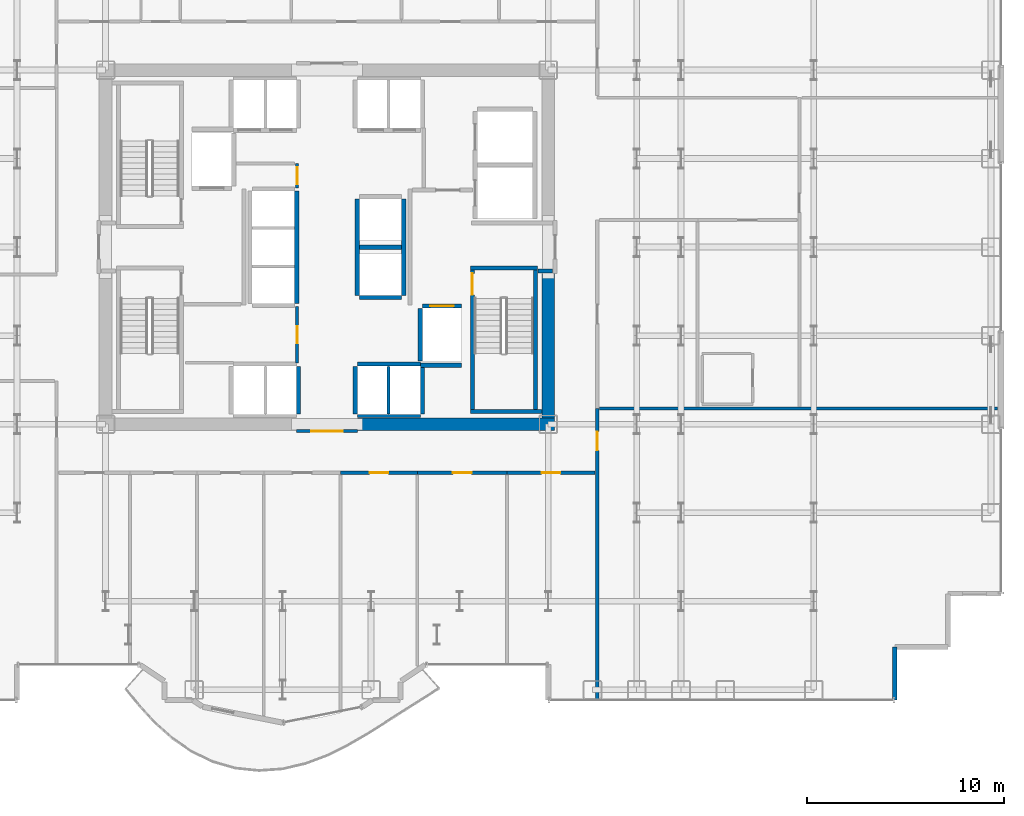
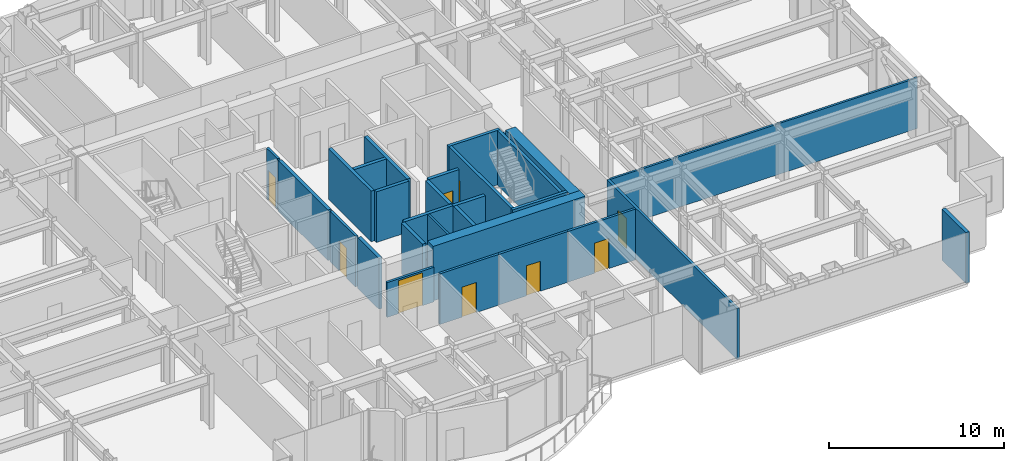
# One storey, part 24 of 29: 30 walls, 9 doors, 9 openings.
"""IFC4 building model written with IfcOpenShell, lengths in metres."""

from ifc_helpers import new_model, si_unit, direction, frame, frame_2d, origin, place, context, subcontext, project, spatial, rectangle, extrude, source, transform, mapped, material, layer, layer_set, type_object, element, fill, save


model = new_model("IFC4")

# Units and contexts
model_context = context("Model", 3, precision=1e-05, world=origin(), true_north=direction((0.0, 1.0)))
body_context = subcontext(model_context, "Body", "Model", "MODEL_VIEW")
ifc_project = project(units=[si_unit("LENGTHUNIT", "METRE"), si_unit("AREAUNIT", "SQUARE_METRE"), si_unit("VOLUMEUNIT", "CUBIC_METRE"), si_unit("PLANEANGLEUNIT", "RADIAN"), si_unit("MASSUNIT", "GRAM", prefix="KILO")], contexts=[model_context])

# Site, building, storey
site_placement = place(None, origin())
site = spatial("IfcSite", under=ifc_project, at=site_placement, CompositionType="ELEMENT")
building_placement = place(site_placement, origin())
building = spatial("IfcBuilding", under=site, at=building_placement, Name="Nefas-Gora Pilgrimage Tower", CompositionType="ELEMENT")
storey_placement = place(building_placement, frame((0.0, 0.0, 78.60009765625)))
storey = spatial("IfcBuildingStorey", under=building, at=storey_placement, Name="L18", CompositionType="ELEMENT", Elevation=78.60009765625)

# Walls
ifc_material_1 = material(Name="Concrete C60/75", Category="concrete")
ifc_layer_1 = layer(ifc_material_1, 0.64990234375)
ifc_layer_set_1 = layer_set([ifc_layer_1], Name="Concrete C60/75")
wall_type_1 = type_object("IfcWallType", Name="SW-CORE-650", PredefinedType="SHEAR", material=ifc_layer_set_1)
shared_shape_1 = source(origin(), body_context, "Body", "SweptSolid", [
    extrude(rectangle(XDim=10.02490234375, YDim=0.64990234375, at=frame_2d((5.012451171875, 0.0))), origin(), (0.0, 0.0, 1.0), 3.7998046875),
])
wall_1_placement = place(storey_placement, frame((1.550048828125, -9.0, 0.0), z_axis=(0.0, 0.0, 1.0), x_axis=(1.0, 0.0, 0.0)))
element("IfcWall", 1, at=wall_1_placement, inside=storey, type_object=wall_type_1, Name="L18 Core Shear Wall S-East", PredefinedType="SHEAR", context=body_context, shape_type="MappedRepresentation", body=[
    mapped(shared_shape_1, transform((0.0, 0.0, 0.0), x_axis=(1.0, 0.0, 0.0), y_axis=(0.0, 1.0, 0.0), z_axis=(0.0, 0.0, 1.0), scale=1.0)),
])
shared_shape_2 = source(origin(), body_context, "Body", "SweptSolid", [
    extrude(rectangle(XDim=7.324951171875, YDim=0.64990234375, at=frame_2d((3.66259765625, 0.0))), origin(), (0.0, 0.0, 1.0), 3.7998046875),
])
wall_2_placement = place(storey_placement, frame((11.25, -8.675048828125, 0.0), z_axis=(0.0, 0.0, 1.0), x_axis=(0.0, 1.0, 0.0)))
element("IfcWall", 2, at=wall_2_placement, inside=storey, type_object=wall_type_1, Name="L18 Core Shear Wall E-South", PredefinedType="SHEAR", context=body_context, shape_type="MappedRepresentation", body=[
    mapped(shared_shape_2, transform((0.0, 0.0, 0.0), x_axis=(1.0, 0.0, 0.0), y_axis=(0.0, 1.0, 0.0), z_axis=(0.0, 0.0, 1.0), scale=1.0)),
])
ifc_material_2 = material(Name="Precast concrete C45/55", Category="concrete")
ifc_layer_2 = layer(ifc_material_2, 0.239990234375)
ifc_layer_set_2 = layer_set([ifc_layer_2], Name="Precast concrete C45/55")
wall_type_2 = type_object("IfcWallType", Name="EW-SERR-240", PredefinedType="SHEAR", material=ifc_layer_set_2)
shared_shape_3 = source(origin(), body_context, "Body", "SweptSolid", [
    extrude(rectangle(XDim=2.699951171875, YDim=0.239990234375, at=frame_2d((1.35009765625, 0.0))), origin(), (0.0, 0.0, 1.0), 3.5498046875),
])
wall_3_placement = place(storey_placement, frame((28.8701171875, -23.02001953125, 0.0), z_axis=(0.0, 0.0, 1.0), x_axis=(0.0, 1.0, 0.0)))
element("IfcWall", 3, at=wall_3_placement, inside=storey, type_object=wall_type_2, Name="L18 Serrated Corner Shear Pier Wall 6", PredefinedType="SHEAR", context=body_context, shape_type="MappedRepresentation", body=[
    mapped(shared_shape_3, transform((0.0, 0.0, 0.0), x_axis=(1.0, 0.0, 0.0), y_axis=(0.0, 1.0, 0.0), z_axis=(0.0, 0.0, 1.0), scale=1.0)),
])
ifc_material_3 = material(Name="Concrete C45/55", Category="concrete")
ifc_layer_3 = layer(ifc_material_3, 0.199951171875)
ifc_layer_set_3 = layer_set([ifc_layer_3], Name="Concrete C45/55")
wall_type_3 = type_object("IfcWallType", Name="IW-STAIR-200", PredefinedType="SOLIDWALL", material=ifc_layer_set_3)
shared_shape_4 = source(origin(), body_context, "Body", "SweptSolid", [
    extrude(rectangle(XDim=3.39990234375, YDim=0.199951171875, at=frame_2d((1.699951171875, 0.0))), origin(), (0.0, 0.0, 1.0), 3.7998046875),
])
wall_4_placement = place(storey_placement, frame((7.300048828125, -1.050048828125, 0.0), z_axis=(0.0, 0.0, 1.0), x_axis=(1.0, 0.0, 0.0)))
element("IfcWall", 4, at=wall_4_placement, inside=storey, type_object=wall_type_3, Name="L18 Stairwell Shear Wall ST-02-near", PredefinedType="SOLIDWALL", context=body_context, shape_type="MappedRepresentation", body=[
    mapped(shared_shape_4, transform((0.0, 0.0, 0.0), x_axis=(1.0, 0.0, 0.0), y_axis=(0.0, 1.0, 0.0), z_axis=(0.0, 0.0, 1.0), scale=1.0)),
])
shared_shape_5 = source(origin(), body_context, "Body", "SweptSolid", [
    extrude(rectangle(XDim=3.6298828125, YDim=0.199951171875, at=frame_2d((1.81494140625, 0.0))), origin(), (0.0, 0.0, 1.0), 3.7998046875),
])
wall_5_placement = place(storey_placement, frame((7.300048828125, -8.35009765625, 0.0), z_axis=(0.0, 0.0, 1.0), x_axis=(1.0, 0.0, 0.0)))
element("IfcWall", 5, at=wall_5_placement, inside=storey, type_object=wall_type_3, Name="L18 Stairwell Shear Wall ST-02-far", PredefinedType="SOLIDWALL", context=body_context, shape_type="MappedRepresentation", body=[
    mapped(shared_shape_5, transform((0.0, 0.0, 0.0), x_axis=(1.0, 0.0, 0.0), y_axis=(0.0, 1.0, 0.0), z_axis=(0.0, 0.0, 1.0), scale=1.0)),
])

# Wall, opening, door
shared_shape_6 = source(origin(), body_context, "Body", "SweptSolid", [
    extrude(rectangle(XDim=7.10009765625, YDim=0.199951171875, at=frame_2d((3.550048828125, 0.0))), origin(), (0.0, 0.0, 1.0), 3.7998046875),
])
wall_6_placement = place(storey_placement, frame((7.39990234375, -1.14990234375, 0.0), z_axis=(0.0, 0.0, 1.0), x_axis=(0.0, -1.0, 0.0)))
wall_6 = element("IfcWall", 6, at=wall_6_placement, inside=storey, type_object=wall_type_3, Name="L18 Stairwell Shear Wall ST-02-left", PredefinedType="SOLIDWALL", context=body_context, shape_type="MappedRepresentation", body=[
    mapped(shared_shape_6, transform((0.0, 0.0, 0.0), x_axis=(1.0, 0.0, 0.0), y_axis=(0.0, 1.0, 0.0), z_axis=(0.0, 0.0, 1.0), scale=1.0)),
])
opening_1_placement = place(wall_6_placement, frame((0.179931640625, 0.0, 0.0)))
opening_1 = element("IfcOpeningElement", 7, at=opening_1_placement, cuts=wall_6, Name="Opening ID-ST1", PredefinedType="OPENING", context=body_context, shape_type="SweptSolid", body=[
    extrude(rectangle(XDim=1.10009765625, YDim=2.14990234375, at=frame_2d((0.550048828125, 1.074951171875))), frame((0.0, 0.10986328125, 0.0), z_axis=(0.0, -1.0, 0.0), x_axis=(1.0, 0.0, 0.0)), (0.0, 0.0, 1.0), 0.219970703125),
])
ifc_material_4 = material(Name="Painted galvanised steel fire stair door", Category="steel")
door_type_1 = type_object("IfcDoorType", Name="DR-INT-STAIR-1100", OperationType="NOTDEFINED", PredefinedType="DOOR", material=ifc_material_4)
shared_shape_7 = source(origin(), body_context, "Body", "SweptSolid", [
    extrude(rectangle(XDim=1.10009765625, YDim=2.14990234375, at=frame_2d((0.550048828125, 1.074951171875))), frame((0.0, 0.02490234375, 0.0), z_axis=(0.0, -1.0, 0.0), x_axis=(1.0, 0.0, 0.0)), (0.0, 0.0, 1.0), 0.050048828125),
])
door_1_placement = place(opening_1_placement, origin())
door_1 = element("IfcDoor", 8, at=door_1_placement, inside=storey, type_object=door_type_1, Name="L18 Protected Exit Stair Door ST-02", OperationType="SINGLE_SWING_LEFT", OverallHeight=2.14990234375, OverallWidth=1.10009765625, PredefinedType="DOOR", context=body_context, shape_type="MappedRepresentation", body=[
    mapped(shared_shape_7, transform((0.0, 0.0, 0.0), x_axis=(1.0, 0.0, 0.0), y_axis=(0.0, 1.0, 0.0), z_axis=(0.0, 0.0, 1.0), scale=1.0)),
])
fill(opening_1, door_1)

# Wall
wall_7_placement = place(storey_placement, frame((10.60009765625, -1.14990234375, 0.0), z_axis=(0.0, 0.0, 1.0), x_axis=(0.0, -1.0, 0.0)))
element("IfcWall", 9, at=wall_7_placement, inside=storey, type_object=wall_type_3, Name="L18 Stairwell Shear Wall ST-02-right", PredefinedType="SOLIDWALL", context=body_context, shape_type="MappedRepresentation", body=[
    mapped(shared_shape_6, transform((0.0, 0.0, 0.0), x_axis=(1.0, 0.0, 0.0), y_axis=(0.0, 1.0, 0.0), z_axis=(0.0, 0.0, 1.0), scale=1.0)),
])

# Wall, opening, door
ifc_material_5 = material(Name="Concrete C40/50", Category="concrete")
ifc_layer_4 = layer(ifc_material_5, 0.219970703125)
ifc_layer_set_4 = layer_set([ifc_layer_4], Name="Concrete C40/50")
wall_type_4 = type_object("IfcWallType", Name="IW-SHAFT-220", PredefinedType="SOLIDWALL", material=ifc_layer_set_4)
shared_shape_8 = source(origin(), body_context, "Body", "SweptSolid", [
    extrude(rectangle(XDim=2.0, YDim=0.219970703125, at=frame_2d((1.0, 0.0))), origin(), (0.0, 0.0, 1.0), 3.534912109375),
])
wall_8_placement = place(storey_placement, frame((6.85009765625, -2.989990234375, 0.0), z_axis=(0.0, 0.0, 1.0), x_axis=(-1.0, 0.0, 0.0)))
wall_8 = element("IfcWall", 10, at=wall_8_placement, inside=storey, type_object=wall_type_4, Name="L18 Hoistway Wall FFL-02-N", PredefinedType="SOLIDWALL", context=body_context, shape_type="MappedRepresentation", body=[
    mapped(shared_shape_8, transform((0.0, 0.0, 0.0), x_axis=(1.0, 0.0, 0.0), y_axis=(0.0, 1.0, 0.0), z_axis=(0.0, 0.0, 1.0), scale=1.0)),
])
opening_2_placement = place(wall_8_placement, frame((0.39990234375, 0.0, 0.0)))
opening_2 = element("IfcOpeningElement", 11, at=opening_2_placement, cuts=wall_8, Name="Opening LD-FF", PredefinedType="OPENING", context=body_context, shape_type="SweptSolid", body=[
    extrude(rectangle(XDim=1.199951171875, YDim=2.199951171875, at=frame_2d((0.60009765625, 1.10009765625))), frame((0.0, 0.119873046875, 0.0), z_axis=(0.0, -1.0, 0.0), x_axis=(1.0, 0.0, 0.0)), (0.0, 0.0, 1.0), 0.239990234375),
])
ifc_material_6 = material(Name="Fire-service sliding lift landing door")
door_type_2 = type_object("IfcDoorType", Name="DR-LIFT-FSAE-1200", OperationType="SLIDING_TO_LEFT", PredefinedType="DOOR", material=ifc_material_6)
shared_shape_9 = source(origin(), body_context, "Body", "SweptSolid", [
    extrude(rectangle(XDim=1.199951171875, YDim=2.199951171875, at=frame_2d((0.60009765625, 1.10009765625))), frame((0.0, 0.02490234375, 0.0), z_axis=(0.0, -1.0, 0.0), x_axis=(1.0, 0.0, 0.0)), (0.0, 0.0, 1.0), 0.050048828125),
])
door_2_placement = place(opening_2_placement, origin())
door_2 = element("IfcDoor", 12, at=door_2_placement, inside=storey, type_object=door_type_2, Name="L18 Sliding Lift Landing Door FFL-02", OperationType="SLIDING_TO_LEFT", OverallHeight=2.199951171875, OverallWidth=1.199951171875, PredefinedType="DOOR", context=body_context, shape_type="MappedRepresentation", body=[
    mapped(shared_shape_9, transform((0.0, 0.0, 0.0), x_axis=(1.0, 0.0, 0.0), y_axis=(0.0, 1.0, 0.0), z_axis=(0.0, 0.0, 1.0), scale=1.0)),
])
fill(opening_2, door_2)

# Walls
shared_shape_10 = source(origin(), body_context, "Body", "SweptSolid", [
    extrude(rectangle(XDim=2.679931640625, YDim=0.219970703125, at=frame_2d((1.33984375, 0.0))), origin(), (0.0, 0.0, 1.0), 3.534912109375),
])
wall_9_placement = place(storey_placement, frame((4.739990234375, -3.110107421875, 0.0), z_axis=(0.0, 0.0, 1.0), x_axis=(0.0, -1.0, 0.0)))
element("IfcWall", 13, at=wall_9_placement, inside=storey, type_object=wall_type_4, Name="L18 Hoistway Wall FFL-02-W", PredefinedType="SOLIDWALL", context=body_context, shape_type="MappedRepresentation", body=[
    mapped(shared_shape_10, transform((0.0, 0.0, 0.0), x_axis=(1.0, 0.0, 0.0), y_axis=(0.0, 1.0, 0.0), z_axis=(0.0, 0.0, 1.0), scale=1.0)),
])
shared_shape_11 = source(origin(), body_context, "Body", "SweptSolid", [
    extrude(rectangle(XDim=3.199951171875, YDim=0.219970703125, at=frame_2d((1.60009765625, 0.0))), origin(), (0.0, 0.0, 1.0), 3.534912109375),
])
wall_10_placement = place(storey_placement, frame((4.75, -5.93994140625, 0.0), z_axis=(0.0, 0.0, 1.0), x_axis=(-1.0, 0.0, 0.0)))
element("IfcWall", 14, at=wall_10_placement, inside=storey, type_object=wall_type_4, Name="L18 Hoistway Wall PL2-E-N", PredefinedType="SOLIDWALL", context=body_context, shape_type="MappedRepresentation", body=[
    mapped(shared_shape_11, transform((0.0, 0.0, 0.0), x_axis=(1.0, 0.0, 0.0), y_axis=(0.0, 1.0, 0.0), z_axis=(0.0, 0.0, 1.0), scale=1.0)),
])
shared_shape_12 = source(origin(), body_context, "Body", "SweptSolid", [
    extrude(rectangle(XDim=2.429931640625, YDim=0.219970703125, at=frame_2d((1.21484375, 0.0))), origin(), (0.0, 0.0, 1.0), 3.534912109375),
])
for number, where, z_axis, x_axis, name in (
    (15, (-1.43994140625, -8.489990234375, 0.0), (0.0, 0.0, 1.0), (0.0, 1.0, 0.0), "L18 Hoistway Wall PL2-W-E"),
    (16, (1.43994140625, -6.06005859375, 0.0), (0.0, 0.0, 1.0), (0.0, -1.0, 0.0), "L18 Hoistway Wall PL2-E-W"),
    (17, (4.860107421875, -8.489990234375, 0.0), (0.0, 0.0, 1.0), (0.0, 1.0, 0.0), "L18 Hoistway Wall PL2-E-E"),
):
    element("IfcWall", number, at=place(storey_placement, frame(where, z_axis=z_axis, x_axis=x_axis)), inside=storey, type_object=wall_type_4, Name=name, PredefinedType="SOLIDWALL", context=body_context, shape_type="MappedRepresentation", body=[
        mapped(shared_shape_12, transform((0.0, 0.0, 0.0), x_axis=(1.0, 0.0, 0.0), y_axis=(0.0, 1.0, 0.0), z_axis=(0.0, 0.0, 1.0), scale=1.0)),
    ])
ifc_material_7 = material(Name="Gypsum twin-stud partition")
ifc_layer_5 = layer(ifc_material_7, 0.139892578125)
ifc_layer_set_5 = layer_set([ifc_layer_5], Name="Gypsum twin-stud partition")
wall_type_5 = type_object("IfcWallType", Name="IW-UNIT-140", PredefinedType="PARTITIONING", material=ifc_layer_set_5)
shared_shape_13 = source(origin(), body_context, "Body", "SweptSolid", [
    extrude(rectangle(XDim=2.429931640625, YDim=0.139892578125, at=frame_2d((1.21484375, 0.0))), origin(), (0.0, 0.0, 1.0), 3.534912109375),
])
wall_11_placement = place(storey_placement, frame((3.125, -8.489990234375, 0.0), z_axis=(0.0, 0.0, 1.0), x_axis=(0.0, 1.0, 0.0)))
element("IfcWall", 18, at=wall_11_placement, inside=storey, type_object=wall_type_5, Name="L18 Hoistway Wall PL2-E-DIV", PredefinedType="PARTITIONING", context=body_context, shape_type="MappedRepresentation", body=[
    mapped(shared_shape_13, transform((0.0, 0.0, 0.0), x_axis=(1.0, 0.0, 0.0), y_axis=(0.0, 1.0, 0.0), z_axis=(0.0, 0.0, 1.0), scale=1.0)),
])
shared_shape_14 = source(origin(), body_context, "Body", "SweptSolid", [
    extrude(rectangle(XDim=5.7001953125, YDim=0.219970703125, at=frame_2d((2.85009765625, 0.0))), origin(), (0.0, 0.0, 1.0), 3.534912109375),
])
wall_12_placement = place(storey_placement, frame((-1.5400390625, -2.85009765625, 0.0), z_axis=(0.0, 0.0, 1.0), x_axis=(0.0, 1.0, 0.0)))
element("IfcWall", 19, at=wall_12_placement, inside=storey, type_object=wall_type_4, Name="L18 Hoistway Wall PL3-01-03-E", PredefinedType="SOLIDWALL", context=body_context, shape_type="MappedRepresentation", body=[
    mapped(shared_shape_14, transform((0.0, 0.0, 0.0), x_axis=(1.0, 0.0, 0.0), y_axis=(0.0, 1.0, 0.0), z_axis=(0.0, 0.0, 1.0), scale=1.0)),
])
shared_shape_15 = source(origin(), body_context, "Body", "SweptSolid", [
    extrude(rectangle(XDim=2.130126953125, YDim=0.219970703125, at=frame_2d((1.06494140625, 0.0))), origin(), (0.0, 0.0, 1.0), 3.534912109375),
])
for number, where, z_axis, x_axis, name in (
    (20, (1.659912109375, -2.56005859375, 0.0), (0.0, 0.0, 1.0), (1.0, 0.0, 0.0), "L18 Hoistway Wall OBS-01-S"),
    (21, (1.659912109375, 0.0, 0.0), (0.0, 0.0, 1.0), (1.0, 0.0, 0.0), "L18 Hoistway Wall OBS-01-02-DIV"),
):
    element("IfcWall", number, at=place(storey_placement, frame(where, z_axis=z_axis, x_axis=x_axis)), inside=storey, type_object=wall_type_4, Name=name, PredefinedType="SOLIDWALL", context=body_context, shape_type="MappedRepresentation", body=[
        mapped(shared_shape_15, transform((0.0, 0.0, 0.0), x_axis=(1.0, 0.0, 0.0), y_axis=(0.0, 1.0, 0.0), z_axis=(0.0, 0.0, 1.0), scale=1.0)),
    ])
shared_shape_16 = source(origin(), body_context, "Body", "SweptSolid", [
    extrude(rectangle(XDim=4.89990234375, YDim=0.219970703125, at=frame_2d((2.449951171875, 0.0))), origin(), (0.0, 0.0, 1.0), 3.534912109375),
])
for number, where, z_axis, x_axis, name in (
    (22, (1.5400390625, 2.449951171875, 0.0), (0.0, 0.0, 1.0), (0.0, -1.0, 0.0), "L18 Hoistway Wall OBS-01-02-W"),
    (23, (3.909912109375, -2.449951171875, 0.0), (0.0, 0.0, 1.0), (0.0, 1.0, 0.0), "L18 Hoistway Wall OBS-01-02-E"),
):
    element("IfcWall", number, at=place(storey_placement, frame(where, z_axis=z_axis, x_axis=x_axis)), inside=storey, type_object=wall_type_4, Name=name, PredefinedType="SOLIDWALL", context=body_context, shape_type="MappedRepresentation", body=[
        mapped(shared_shape_16, transform((0.0, 0.0, 0.0), x_axis=(1.0, 0.0, 0.0), y_axis=(0.0, 1.0, 0.0), z_axis=(0.0, 0.0, 1.0), scale=1.0)),
    ])
ifc_material_8 = material(Name="Gypsum acoustic stud partition")
ifc_layer_6 = layer(ifc_material_8, 0.159912109375)
ifc_layer_set_6 = layer_set([ifc_layer_6], Name="Gypsum acoustic stud partition")
wall_type_6 = type_object("IfcWallType", Name="IW-CORR-160", PredefinedType="PARTITIONING", material=ifc_layer_set_6)
shared_shape_17 = source(origin(), body_context, "Body", "SweptSolid", [
    extrude(rectangle(XDim=3.199951171875, YDim=0.159912109375, at=frame_2d((1.60009765625, 0.0))), origin(), (0.0, 0.0, 1.0), 2.4248046875),
])
wall_13_placement = place(storey_placement, frame((1.550048828125, -8.580078125, 0.0), z_axis=(0.0, 0.0, 1.0), x_axis=(1.0, 0.0, 0.0)))
element("IfcWall", 24, at=wall_13_placement, inside=storey, type_object=wall_type_6, Name="L18 Hoistway Wall PL2-E-S", PredefinedType="PARTITIONING", context=body_context, shape_type="MappedRepresentation", body=[
    mapped(shared_shape_17, transform((0.0, 0.0, 0.0), x_axis=(1.0, 0.0, 0.0), y_axis=(0.0, 1.0, 0.0), z_axis=(0.0, 0.0, 1.0), scale=1.0)),
])
shared_shape_18 = source(origin(), body_context, "Body", "SweptSolid", [
    extrude(rectangle(XDim=2.09521484375, YDim=0.219970703125, at=frame_2d((1.047607421875, 0.0))), origin(), (0.0, 0.0, 1.0), 3.534912109375),
])
wall_14_placement = place(storey_placement, frame((4.7548828125, -6.0, 0.0), z_axis=(0.0, 0.0, 1.0), x_axis=(1.0, 0.0, 0.0)))
element("IfcWall", 25, at=wall_14_placement, inside=storey, type_object=wall_type_4, Name="L18 Riser Shaft Wall 2", PredefinedType="SOLIDWALL", context=body_context, shape_type="MappedRepresentation", body=[
    mapped(shared_shape_18, transform((0.0, 0.0, 0.0), x_axis=(1.0, 0.0, 0.0), y_axis=(0.0, 1.0, 0.0), z_axis=(0.0, 0.0, 1.0), scale=1.0)),
])
ifc_material_9 = material(Name="Gypsum fire-rated shaftwall")
ifc_layer_7 = layer(ifc_material_9, 0.199951171875)
ifc_layer_set_7 = layer_set([ifc_layer_7], Name="Gypsum fire-rated shaftwall")
wall_type_7 = type_object("IfcWallType", Name="IW-FFLOB-200", PredefinedType="PARTITIONING", material=ifc_layer_set_7)
shared_shape_19 = source(origin(), body_context, "Body", "SweptSolid", [
    extrude(rectangle(XDim=0.719970703125, YDim=0.199951171875, at=frame_2d((0.35986328125, 0.0))), origin(), (0.0, 0.0, 1.0), 3.534912109375),
])
wall_15_placement = place(storey_placement, frame((10.739990234375, -1.219970703125, 0.0), z_axis=(0.0, 0.0, 1.0), x_axis=(1.0, 0.0, 0.0)))
element("IfcWall", 26, at=wall_15_placement, inside=storey, type_object=wall_type_7, Name="L18 FF Lobby East Throat S Wall 12", PredefinedType="PARTITIONING", context=body_context, shape_type="MappedRepresentation", body=[
    mapped(shared_shape_19, transform((0.0, 0.0, 0.0), x_axis=(1.0, 0.0, 0.0), y_axis=(0.0, 1.0, 0.0), z_axis=(0.0, 0.0, 1.0), scale=1.0)),
])

# Wall, opening, door
shared_shape_20 = source(origin(), body_context, "Body", "SweptSolid", [
    extrude(rectangle(XDim=1.25, YDim=0.159912109375, at=frame_2d((0.625, 0.0))), origin(), (0.0, 0.0, 1.0), 3.534912109375),
])
wall_16_placement = place(storey_placement, frame((-1.52001953125, 3.010009765625, 0.0), z_axis=(0.0, 0.0, 1.0), x_axis=(0.0, 1.0, 0.0)))
wall_16 = element("IfcWall", 27, at=wall_16_placement, inside=storey, type_object=wall_type_6, Name="L18 Housekeeping and Linen Store Wall 20", PredefinedType="PARTITIONING", context=body_context, shape_type="MappedRepresentation", body=[
    mapped(shared_shape_20, transform((0.0, 0.0, 0.0), x_axis=(1.0, 0.0, 0.0), y_axis=(0.0, 1.0, 0.0), z_axis=(0.0, 0.0, 1.0), scale=1.0)),
])
opening_3_placement = place(wall_16_placement, frame((0.199951171875, 0.0, 0.0)))
opening_3 = element("IfcOpeningElement", 28, at=opening_3_placement, cuts=wall_16, Name="Opening ID-BT1", PredefinedType="OPENING", context=body_context, shape_type="SweptSolid", body=[
    extrude(rectangle(XDim=0.85009765625, YDim=2.10009765625, at=frame_2d((0.425048828125, 1.050048828125))), frame((0.0, 0.08984375, 0.0), z_axis=(0.0, -1.0, 0.0), x_axis=(1.0, 0.0, 0.0)), (0.0, 0.0, 1.0), 0.179931640625),
])
ifc_material_10 = material(Name="Moisture-resistant fire-rated timber door", Category="wood")
door_type_3 = type_object("IfcDoorType", Name="DR-INT-BATH-850", OperationType="NOTDEFINED", PredefinedType="DOOR", material=ifc_material_10)
shared_shape_21 = source(origin(), body_context, "Body", "SweptSolid", [
    extrude(rectangle(XDim=0.85009765625, YDim=2.10009765625, at=frame_2d((0.425048828125, 1.050048828125))), frame((0.0, 0.02490234375, 0.0), z_axis=(0.0, -1.0, 0.0), x_axis=(1.0, 0.0, 0.0)), (0.0, 0.0, 1.0), 0.050048828125),
])
door_3_placement = place(opening_3_placement, origin())
door_3 = element("IfcDoor", 29, at=door_3_placement, inside=storey, type_object=door_type_3, Name="L18 Housekeeping and Linen Store Door 7", OperationType="SINGLE_SWING_RIGHT", OverallHeight=2.10009765625, OverallWidth=0.85009765625, PredefinedType="DOOR", context=body_context, shape_type="MappedRepresentation", body=[
    mapped(shared_shape_21, transform((0.0, 0.0, 0.0), x_axis=(1.0, 0.0, 0.0), y_axis=(0.0, 1.0, 0.0), z_axis=(0.0, 0.0, 1.0), scale=1.0)),
])
fill(opening_3, door_3)

shared_shape_22 = source(origin(), body_context, "Body", "SweptSolid", [
    extrude(rectangle(XDim=2.8798828125, YDim=0.159912109375, at=frame_2d((1.43994140625, 0.0))), origin(), (0.0, 0.0, 1.0), 3.534912109375),
])
wall_17_placement = place(storey_placement, frame((-1.52001953125, -5.889892578125, 0.0), z_axis=(0.0, 0.0, 1.0), x_axis=(0.0, 1.0, 0.0)))
wall_17 = element("IfcWall", 30, at=wall_17_placement, inside=storey, type_object=wall_type_6, Name="L18 Pilgrim Baggage and Gear Vault Wall 22", PredefinedType="PARTITIONING", context=body_context, shape_type="MappedRepresentation", body=[
    mapped(shared_shape_22, transform((0.0, 0.0, 0.0), x_axis=(1.0, 0.0, 0.0), y_axis=(0.0, 1.0, 0.0), z_axis=(0.0, 0.0, 1.0), scale=1.0)),
])
opening_4_placement = place(wall_17_placement, frame((1.014892578125, 0.0, 0.0)))
opening_4 = element("IfcOpeningElement", 31, at=opening_4_placement, cuts=wall_17, Name="Opening ID-BT1", PredefinedType="OPENING", context=body_context, shape_type="SweptSolid", body=[
    extrude(rectangle(XDim=0.85009765625, YDim=2.10009765625, at=frame_2d((0.425048828125, 1.050048828125))), frame((0.0, 0.08984375, 0.0), z_axis=(0.0, -1.0, 0.0), x_axis=(1.0, 0.0, 0.0)), (0.0, 0.0, 1.0), 0.179931640625),
])
door_4_placement = place(opening_4_placement, origin())
door_4 = element("IfcDoor", 32, at=door_4_placement, inside=storey, type_object=door_type_3, Name="L18 Pilgrim Baggage and Gear Vault Door 8", OperationType="SINGLE_SWING_LEFT", OverallHeight=2.10009765625, OverallWidth=0.85009765625, PredefinedType="DOOR", context=body_context, shape_type="MappedRepresentation", body=[
    mapped(shared_shape_21, transform((0.0, 0.0, 0.0), x_axis=(1.0, 0.0, 0.0), y_axis=(0.0, 1.0, 0.0), z_axis=(0.0, 0.0, 1.0), scale=1.0)),
])
fill(opening_4, door_4)

# Wall
shared_shape_23 = source(origin(), body_context, "Body", "SweptSolid", [
    extrude(rectangle(XDim=20.219970703125, YDim=0.139892578125, at=frame_2d((10.10986328125, 0.0))), origin(), (0.0, 0.0, 1.0), 3.534912109375),
])
wall_18_placement = place(storey_placement, frame((13.860107421875, -8.205078125, 0.0), z_axis=(0.0, 0.0, 1.0), x_axis=(1.0, 0.0, 0.0)))
element("IfcWall", 33, at=wall_18_placement, inside=storey, type_object=wall_type_5, Name="L18 Pilgrim Fellowship Seminar Room Partition Wall 35", PredefinedType="PARTITIONING", context=body_context, shape_type="MappedRepresentation", body=[
    mapped(shared_shape_23, transform((0.0, 0.0, 0.0), x_axis=(1.0, 0.0, 0.0), y_axis=(0.0, 1.0, 0.0), z_axis=(0.0, 0.0, 1.0), scale=1.0)),
])

# Wall, opening, door
shared_shape_24 = source(origin(), body_context, "Body", "SweptSolid", [
    extrude(rectangle(XDim=3.08984375, YDim=0.159912109375, at=frame_2d((1.544921875, 0.0))), origin(), (0.0, 0.0, 1.0), 2.4248046875),
])
wall_19_placement = place(storey_placement, frame((-1.544921875, -9.35009765625, 0.0), z_axis=(0.0, 0.0, 1.0), x_axis=(1.0, 0.0, 0.0)))
wall_19 = element("IfcWall", 34, at=wall_19_placement, inside=storey, type_object=wall_type_6, Name="L18 Central Lift Lobby South Portal Wall 14", PredefinedType="PARTITIONING", context=body_context, shape_type="MappedRepresentation", body=[
    mapped(shared_shape_24, transform((0.0, 0.0, 0.0), x_axis=(1.0, 0.0, 0.0), y_axis=(0.0, 1.0, 0.0), z_axis=(0.0, 0.0, 1.0), scale=1.0)),
])
opening_5_placement = place(wall_19_placement, frame((0.7451171875, 0.0, 0.0)))
opening_5 = element("IfcOpeningElement", 35, at=opening_5_placement, cuts=wall_19, Name="Opening ID-HL1", PredefinedType="OPENING", context=body_context, shape_type="SweptSolid", body=[
    extrude(rectangle(XDim=1.60009765625, YDim=2.300048828125, at=frame_2d((0.800048828125, 1.14990234375))), frame((0.0, 0.08984375, 0.0), z_axis=(0.0, -1.0, 0.0), x_axis=(1.0, 0.0, 0.0)), (0.0, 0.0, 1.0), 0.179931640625),
])
ifc_material_11 = material(Name="Double acoustic timber assembly hall door", Category="wood")
door_type_4 = type_object("IfcDoorType", Name="DR-INT-HALL-1600", OperationType="DOUBLE_DOOR_SINGLE_SWING", PredefinedType="DOOR", material=ifc_material_11)
shared_shape_25 = source(origin(), body_context, "Body", "SweptSolid", [
    extrude(rectangle(XDim=1.60009765625, YDim=2.300048828125, at=frame_2d((0.800048828125, 1.14990234375))), frame((0.0, 0.02490234375, 0.0), z_axis=(0.0, -1.0, 0.0), x_axis=(1.0, 0.0, 0.0)), (0.0, 0.0, 1.0), 0.050048828125),
])
door_5_placement = place(opening_5_placement, origin())
door_5 = element("IfcDoor", 36, at=door_5_placement, inside=storey, type_object=door_type_4, Name="L18 Central Lift Lobby South Portal Door 5", OperationType="DOUBLE_DOOR_SINGLE_SWING", OverallHeight=2.300048828125, OverallWidth=1.60009765625, PredefinedType="DOOR", context=body_context, shape_type="MappedRepresentation", body=[
    mapped(shared_shape_25, transform((0.0, 0.0, 0.0), x_axis=(1.0, 0.0, 0.0), y_axis=(0.0, 1.0, 0.0), z_axis=(0.0, 0.0, 1.0), scale=1.0)),
])
fill(opening_5, door_5)

shared_shape_26 = source(origin(), body_context, "Body", "SweptSolid", [
    extrude(rectangle(XDim=14.844970703125, YDim=0.159912109375, at=frame_2d((7.42236328125, 0.0))), origin(), (0.0, 0.0, 1.0), 3.534912109375),
])
wall_20_placement = place(storey_placement, frame((13.739990234375, -23.0400390625, 0.0), z_axis=(0.0, 0.0, 1.0), x_axis=(0.0, 1.0, 0.0)))
wall_20 = element("IfcWall", 37, at=wall_20_placement, inside=storey, type_object=wall_type_6, Name="L18 Pilgrim Fellowship Seminar Room Partition Wall 34", PredefinedType="PARTITIONING", context=body_context, shape_type="MappedRepresentation", body=[
    mapped(shared_shape_26, transform((0.0, 0.0, 0.0), x_axis=(1.0, 0.0, 0.0), y_axis=(0.0, 1.0, 0.0), z_axis=(0.0, 0.0, 1.0), scale=1.0)),
])
opening_6_placement = place(wall_20_placement, frame((12.71240234375, 0.0, 0.0)))
opening_6 = element("IfcOpeningElement", 38, at=opening_6_placement, cuts=wall_20, Name="Opening ID-GR1", PredefinedType="OPENING", context=body_context, shape_type="SweptSolid", body=[
    extrude(rectangle(XDim=0.949951171875, YDim=2.10009765625, at=frame_2d((0.47509765625, 1.050048828125))), frame((0.0, 0.08984375, 0.0), z_axis=(0.0, -1.0, 0.0), x_axis=(1.0, 0.0, 0.0)), (0.0, 0.0, 1.0), 0.179931640625),
])
ifc_material_12 = material(Name="Solid core oak fire-rated guest entrance door")
door_type_5 = type_object("IfcDoorType", Name="DR-INT-GUEST-950", OperationType="NOTDEFINED", PredefinedType="DOOR", material=ifc_material_12)
shared_shape_27 = source(origin(), body_context, "Body", "SweptSolid", [
    extrude(rectangle(XDim=0.949951171875, YDim=2.10009765625, at=frame_2d((0.47509765625, 1.050048828125))), frame((0.0, 0.02490234375, 0.0), z_axis=(0.0, -1.0, 0.0), x_axis=(1.0, 0.0, 0.0)), (0.0, 0.0, 1.0), 0.050048828125),
])
door_6_placement = place(opening_6_placement, origin())
door_6 = element("IfcDoor", 39, at=door_6_placement, inside=storey, type_object=door_type_5, Name="L18 Pilgrim Fellowship Seminar Room Door 14", OperationType="SINGLE_SWING_LEFT", OverallHeight=2.10009765625, OverallWidth=0.949951171875, PredefinedType="DOOR", context=body_context, shape_type="MappedRepresentation", body=[
    mapped(shared_shape_27, transform((0.0, 0.0, 0.0), x_axis=(1.0, 0.0, 0.0), y_axis=(0.0, 1.0, 0.0), z_axis=(0.0, 0.0, 1.0), scale=1.0)),
])
fill(opening_6, door_6)

shared_shape_28 = source(origin(), body_context, "Body", "SweptSolid", [
    extrude(rectangle(XDim=3.905029296875, YDim=0.159912109375, at=frame_2d((1.95263671875, 0.0))), origin(), (0.0, 0.0, 1.0), 3.534912109375),
])
wall_21_placement = place(storey_placement, frame((0.699951171875, -11.469970703125, 0.0), z_axis=(0.0, 0.0, 1.0), x_axis=(1.0, 0.0, 0.0)))
wall_21 = element("IfcWall", 40, at=wall_21_placement, inside=storey, type_object=wall_type_6, Name="L18 Pilgrim Contemplative Lounge Partition Wall 60", PredefinedType="PARTITIONING", context=body_context, shape_type="MappedRepresentation", body=[
    mapped(shared_shape_28, transform((0.0, 0.0, 0.0), x_axis=(1.0, 0.0, 0.0), y_axis=(0.0, 1.0, 0.0), z_axis=(0.0, 0.0, 1.0), scale=1.0)),
])
opening_7_placement = place(wall_21_placement, frame((1.4775390625, 0.0, 0.0)))
opening_7 = element("IfcOpeningElement", 41, at=opening_7_placement, cuts=wall_21, Name="Opening ID-GR1", PredefinedType="OPENING", context=body_context, shape_type="SweptSolid", body=[
    extrude(rectangle(XDim=0.949951171875, YDim=2.10009765625, at=frame_2d((0.47509765625, 1.050048828125))), frame((0.0, 0.08984375, 0.0), z_axis=(0.0, -1.0, 0.0), x_axis=(1.0, 0.0, 0.0)), (0.0, 0.0, 1.0), 0.179931640625),
])
door_7_placement = place(opening_7_placement, origin())
door_7 = element("IfcDoor", 42, at=door_7_placement, inside=storey, type_object=door_type_5, Name="L18 Pilgrim Contemplative Lounge Door 28", OperationType="SINGLE_SWING_LEFT", OverallHeight=2.10009765625, OverallWidth=0.949951171875, PredefinedType="DOOR", context=body_context, shape_type="MappedRepresentation", body=[
    mapped(shared_shape_27, transform((0.0, 0.0, 0.0), x_axis=(1.0, 0.0, 0.0), y_axis=(0.0, 1.0, 0.0), z_axis=(0.0, 0.0, 1.0), scale=1.0)),
])
fill(opening_7, door_7)

shared_shape_29 = source(origin(), body_context, "Body", "SweptSolid", [
    extrude(rectangle(XDim=4.56494140625, YDim=0.159912109375, at=frame_2d((2.282470703125, 0.0))), origin(), (0.0, 0.0, 1.0), 3.534912109375),
])
wall_22_placement = place(storey_placement, frame((4.594970703125, -11.469970703125, 0.0), z_axis=(0.0, 0.0, 1.0), x_axis=(1.0, 0.0, 0.0)))
wall_22 = element("IfcWall", 43, at=wall_22_placement, inside=storey, type_object=wall_type_6, Name="L18 Pilgrim Contemplative Lounge Partition Wall 62", PredefinedType="PARTITIONING", context=body_context, shape_type="MappedRepresentation", body=[
    mapped(shared_shape_29, transform((0.0, 0.0, 0.0), x_axis=(1.0, 0.0, 0.0), y_axis=(0.0, 1.0, 0.0), z_axis=(0.0, 0.0, 1.0), scale=1.0)),
])
opening_8_placement = place(wall_22_placement, frame((1.8076171875, 0.0, 0.0)))
opening_8 = element("IfcOpeningElement", 44, at=opening_8_placement, cuts=wall_22, Name="Opening ID-GR1", PredefinedType="OPENING", context=body_context, shape_type="SweptSolid", body=[
    extrude(rectangle(XDim=0.949951171875, YDim=2.10009765625, at=frame_2d((0.47509765625, 1.050048828125))), frame((0.0, 0.08984375, 0.0), z_axis=(0.0, -1.0, 0.0), x_axis=(1.0, 0.0, 0.0)), (0.0, 0.0, 1.0), 0.179931640625),
])
door_8_placement = place(opening_8_placement, origin())
door_8 = element("IfcDoor", 45, at=door_8_placement, inside=storey, type_object=door_type_5, Name="L18 Pilgrim Contemplative Lounge Door 29", OperationType="SINGLE_SWING_RIGHT", OverallHeight=2.10009765625, OverallWidth=0.949951171875, PredefinedType="DOOR", context=body_context, shape_type="MappedRepresentation", body=[
    mapped(shared_shape_27, transform((0.0, 0.0, 0.0), x_axis=(1.0, 0.0, 0.0), y_axis=(0.0, 1.0, 0.0), z_axis=(0.0, 0.0, 1.0), scale=1.0)),
])
fill(opening_8, door_8)

shared_shape_30 = source(origin(), body_context, "Body", "SweptSolid", [
    extrude(rectangle(XDim=4.460205078125, YDim=0.159912109375, at=frame_2d((2.22998046875, 0.0))), origin(), (0.0, 0.0, 1.0), 3.534912109375),
])
wall_23_placement = place(storey_placement, frame((9.159912109375, -11.469970703125, 0.0), z_axis=(0.0, 0.0, 1.0), x_axis=(1.0, 0.0, 0.0)))
wall_23 = element("IfcWall", 46, at=wall_23_placement, inside=storey, type_object=wall_type_6, Name="L18 Pilgrim Contemplative Lounge Partition Wall 64", PredefinedType="PARTITIONING", context=body_context, shape_type="MappedRepresentation", body=[
    mapped(shared_shape_30, transform((0.0, 0.0, 0.0), x_axis=(1.0, 0.0, 0.0), y_axis=(0.0, 1.0, 0.0), z_axis=(0.0, 0.0, 1.0), scale=1.0)),
])
opening_9_placement = place(wall_23_placement, frame((1.7548828125, 0.0, 0.0)))
opening_9 = element("IfcOpeningElement", 47, at=opening_9_placement, cuts=wall_23, Name="Opening ID-GR1", PredefinedType="OPENING", context=body_context, shape_type="SweptSolid", body=[
    extrude(rectangle(XDim=0.949951171875, YDim=2.10009765625, at=frame_2d((0.47509765625, 1.050048828125))), frame((0.0, 0.08984375, 0.0), z_axis=(0.0, -1.0, 0.0), x_axis=(1.0, 0.0, 0.0)), (0.0, 0.0, 1.0), 0.179931640625),
])
door_9_placement = place(opening_9_placement, origin())
door_9 = element("IfcDoor", 48, at=door_9_placement, inside=storey, type_object=door_type_5, Name="L18 Pilgrim Contemplative Lounge Door 30", OperationType="SINGLE_SWING_LEFT", OverallHeight=2.10009765625, OverallWidth=0.949951171875, PredefinedType="DOOR", context=body_context, shape_type="MappedRepresentation", body=[
    mapped(shared_shape_27, transform((0.0, 0.0, 0.0), x_axis=(1.0, 0.0, 0.0), y_axis=(0.0, 1.0, 0.0), z_axis=(0.0, 0.0, 1.0), scale=1.0)),
])
fill(opening_9, door_9)

save(model, "model.ifc")
